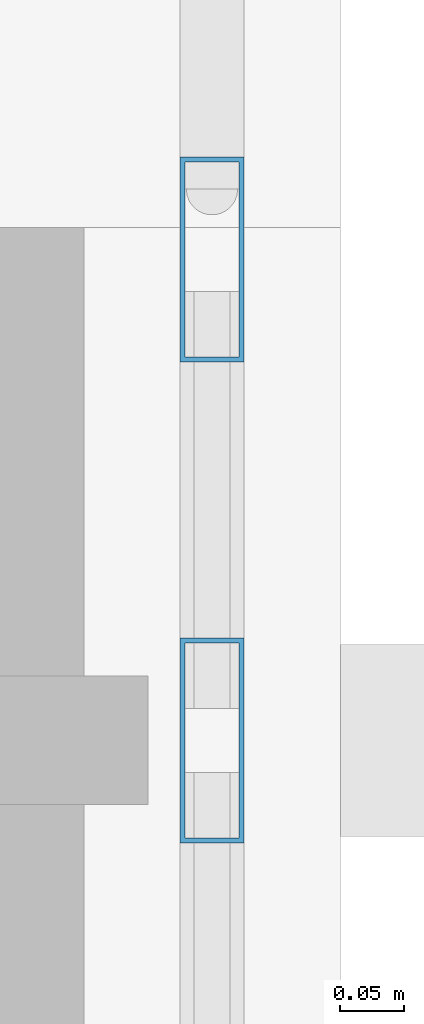
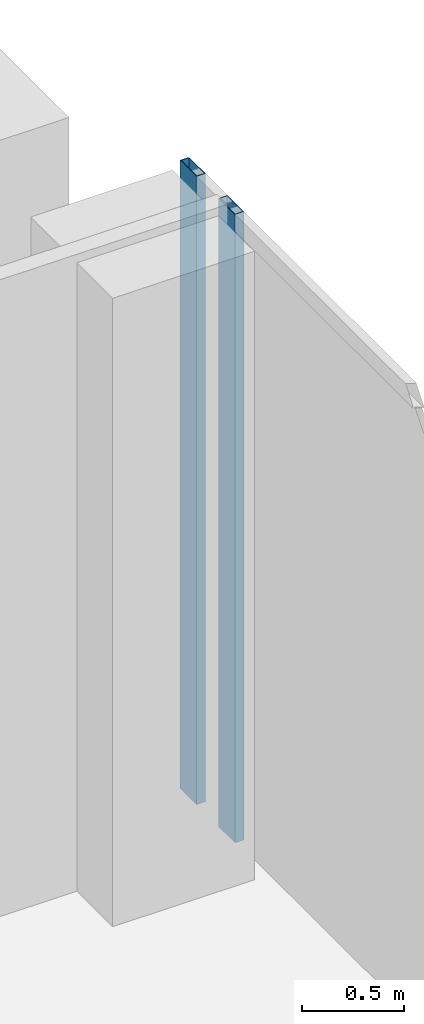
# One storey, part 12 of 32: 2 members, 1 element without a shape of its own.
"""IFC4 building model written with IfcOpenShell, lengths in metres."""

from ifc_helpers import new_model, si_unit, direction, frame, origin, origin_2d, place, context, subcontext, project, spatial, hollow_rectangle, extrude, source, transform, mapped, material, material_profile, profile_set, type_object, element, aggregate, save


model = new_model("IFC4")

# Units and contexts
model_context = context("Model", 3, precision=1e-05, world=origin(), true_north=direction((0.0, 1.0)))
body_context = subcontext(model_context, "Body", "Model", "MODEL_VIEW")
ifc_project = project(units=[si_unit("LENGTHUNIT", "METRE"), si_unit("AREAUNIT", "SQUARE_METRE"), si_unit("VOLUMEUNIT", "CUBIC_METRE"), si_unit("PLANEANGLEUNIT", "RADIAN"), si_unit("MASSUNIT", "GRAM", prefix="KILO")], contexts=[model_context])

# Site, building, storey
site_placement = place(None, origin())
site = spatial("IfcSite", under=ifc_project, at=site_placement, CompositionType="ELEMENT")
building_placement = place(site_placement, origin())
building = spatial("IfcBuilding", under=site, at=building_placement, Name="Khomas Fold Tower", CompositionType="ELEMENT")
storey_placement = place(building_placement, frame((0.0, 0.0, 306.199951171875)))
storey = spatial("IfcBuildingStorey", under=building, at=storey_placement, Name="L69", CompositionType="ELEMENT", Elevation=306.199951171875)

# Curtain wall, members
ifc_material_1 = material(Name="Aluminium framed double glazing", Category="aluminium")
curtain_wall_type = type_object("IfcCurtainWallType", Name="SK-Unitised clear-glass wall, upper floors CW3", PredefinedType="NOTDEFINED", material=ifc_material_1)
curtain_wall_placement = place(storey_placement, origin())
curtain_wall = element("IfcCurtainWall", 1, at=curtain_wall_placement, inside=storey, type_object=curtain_wall_type, Name="CW3 run L69 03-0", PredefinedType="NOTDEFINED")
ifc_material_2 = material(Name="Aluminium", Category="aluminium")
ifc_material_profile = material_profile(ifc_material_2, hollow_rectangle(XDim=0.050048828125, YDim=0.159912109375, WallThickness=0.00390625, at=origin_2d()), Name="SK-Unitised clear-glass wall, upper floors mullion CW3-M")
ifc_profile_set = profile_set([ifc_material_profile], Name="Aluminium")
member_type = type_object("IfcMemberType", Name="SK-Unitised clear-glass wall, upper floors mullion CW3-M", PredefinedType="MULLION", material=ifc_profile_set)
shared_shape = source(origin(), body_context, "Body", "SweptSolid", [
    extrude(hollow_rectangle(XDim=0.050048828125, YDim=0.159912109375, WallThickness=0.00390625, at=origin_2d()), origin(), (0.0, 0.0, 1.0), 3.75),
])
member_1_placement = place(storey_placement, frame((47.89990234375, 34.5, 0.0), z_axis=(0.0, 0.0, 1.0), x_axis=(-1.0, 0.0, 0.0)))
member_1 = element("IfcMember", 2, at=member_1_placement, type_object=member_type, Name="CW3 mullion 5", PredefinedType="MULLION", context=body_context, shape_type="MappedRepresentation", body=[
    mapped(shared_shape, transform((0.0, 0.0, 0.0))),
])
member_2_placement = place(storey_placement, frame((47.89990234375, 34.875, 0.0), z_axis=(0.0, 0.0, 1.0), x_axis=(-1.0, 0.0, 0.0)))
member_2 = element("IfcMember", 3, at=member_2_placement, type_object=member_type, Name="CW3 mullion 6", PredefinedType="MULLION", context=body_context, shape_type="MappedRepresentation", body=[
    mapped(shared_shape, transform((0.0, 0.0, 0.0))),
])
aggregate(curtain_wall, [member_1, member_2])

save(model, "model.ifc")
